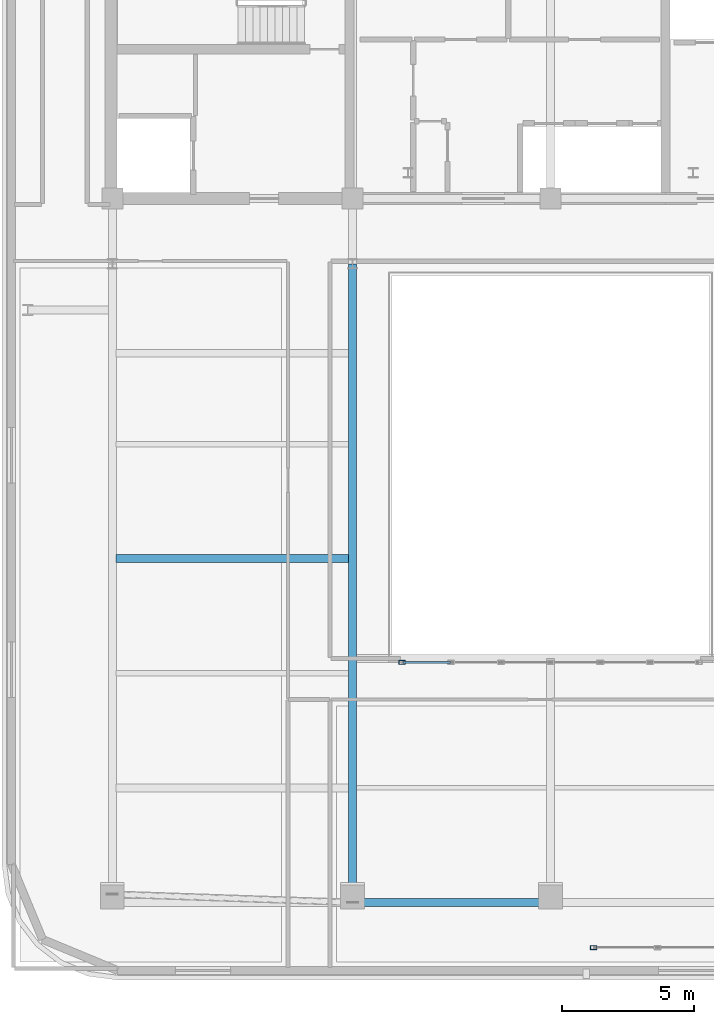
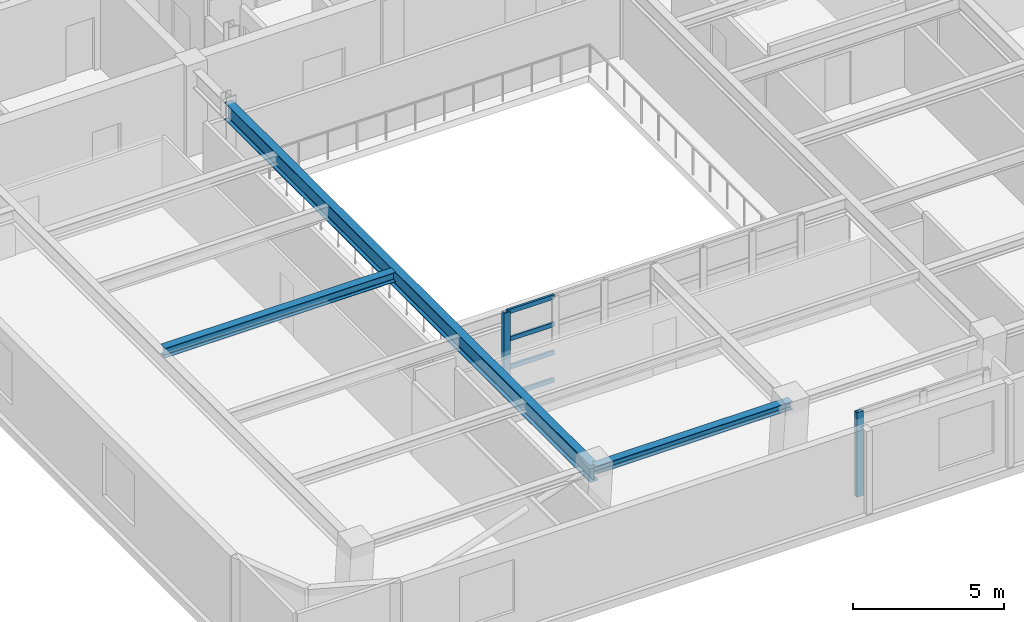
# One storey, part 2 of 12: 6 members, 3 beams, 2 elements without a shape of their own.
"""IFC4 building model written with IfcOpenShell, lengths in metres."""

import ifcopenshell
import ifcopenshell.guid

model = None  # the IFC model being written
_history = None  # IfcOwnerHistory: only IFC2X3 demands one
_inside = {}  # id of a spatial element -> (the spatial element, [elements in it])
_under = {}  # id of a project, library or spatial element -> (it, [spatial elements below it])
_declared = {}  # id of a project -> (the project, [libraries it declares])
_typed = {}  # id of a type object -> (the type object, [elements of that type])
_made_of = {}  # id of a material, layer set ... -> (it, [elements and type objects made of it])


def new_model(schema):
    """Start an empty IFC model of exactly this schema.

    Asked for "IFC4X3", IfcOpenShell would pick the latest addendum, in which some entities
    have other attributes; the version numbers below select the first issue.
    IFC2X3 requires an IfcOwnerHistory on every rooted entity: one is made here for all.
    """
    global model, _history
    if schema == "IFC4X3":
        model = ifcopenshell.file(schema_version=(4, 3, 0, 0))
    else:
        model = ifcopenshell.file(schema=schema)
    _inside.clear()
    _under.clear()
    _declared.clear()
    _typed.clear()
    _made_of.clear()
    _history = None
    if model.schema == "IFC2X3":
        org = make("IfcOrganization", Name="unknown")
        user = make(
            "IfcPersonAndOrganization",
            ThePerson=make("IfcPerson", FamilyName="unknown"),
            TheOrganization=org,
        )
        app = make(
            "IfcApplication",
            ApplicationDeveloper=org,
            Version="unknown",
            ApplicationFullName="unknown",
            ApplicationIdentifier="unknown",
        )
        _history = make(
            "IfcOwnerHistory",
            OwningUser=user,
            OwningApplication=app,
            ChangeAction="ADDED",
            CreationDate=0,
        )
    return model


def make(cls, **values):
    """One entity of the class cls with the attributes given. An attribute that is None is left unset."""
    return model.create_entity(
        cls, **{name: value for name, value in values.items() if value is not None}
    )


def rooted(cls, **values):
    """An entity with a GlobalId (a new one), such as an element, a storey or a relation."""
    return make(cls, GlobalId=ifcopenshell.guid.new(), OwnerHistory=_history, **values)


def si_unit(unit_type, name, prefix=None):
    """IfcSIUnit, for example si_unit("LENGTHUNIT", "METRE", prefix="MILLI")."""
    return make("IfcSIUnit", UnitType=unit_type, Prefix=prefix, Name=name)


def assignment(units):
    """IfcUnitAssignment: the units of a project."""
    return None if units is None else make("IfcUnitAssignment", Units=units)


def point(xyz):
    """IfcCartesianPoint."""
    return None if xyz is None else make("IfcCartesianPoint", Coordinates=xyz)


def direction(xyz):
    """IfcDirection."""
    return None if xyz is None else make("IfcDirection", DirectionRatios=xyz)


def frame(location, z_axis=None, x_axis=None):
    """IfcAxis2Placement3D, a coordinate frame: its origin and axes. An axis left out is left unset."""
    return make(
        "IfcAxis2Placement3D",
        Location=point(location),
        Axis=direction(z_axis),
        RefDirection=direction(x_axis),
    )


def frame_2d(location, x_axis=None):
    """IfcAxis2Placement2D, a coordinate frame in the plane: its origin and x axis."""
    return make(
        "IfcAxis2Placement2D", Location=point(location), RefDirection=direction(x_axis)
    )


def origin():
    """The frame at (0, 0, 0) with its axes left unset."""
    return frame((0.0, 0.0, 0.0))


def origin_2d():
    """The frame at (0, 0) in the plane with its x axis left unset."""
    return frame_2d((0.0, 0.0))


def place(relative_to, where):
    """IfcLocalPlacement: puts the frame where relative to a parent placement (None: the world)."""
    return make(
        "IfcLocalPlacement", PlacementRelTo=relative_to, RelativePlacement=where
    )


def context(
    kind, dimensions, precision=None, world=None, true_north=None, identifier=None
):
    """IfcGeometricRepresentationContext, for example the 3D "Model" context."""
    return make(
        "IfcGeometricRepresentationContext",
        ContextIdentifier=identifier,
        ContextType=kind,
        CoordinateSpaceDimension=dimensions,
        Precision=precision,
        WorldCoordinateSystem=world,
        TrueNorth=true_north,
    )


def subcontext(parent, identifier, kind, view, scale=None):
    """IfcGeometricRepresentationSubContext, for example "Body" below "Model"."""
    return make(
        "IfcGeometricRepresentationSubContext",
        ContextIdentifier=identifier,
        ContextType=kind,
        ParentContext=parent,
        TargetScale=scale,
        TargetView=view,
    )


def project(units=None, contexts=None):
    """IfcProject with its units and contexts."""
    return rooted(
        "IfcProject",
        Name="project",
        RepresentationContexts=contexts,
        UnitsInContext=assignment(units),
    )


def spatial(cls, under=None, at=None, **own):
    """A site, building, storey or space (cls), placed at a placement, below another one or the project."""
    s = rooted(cls, ObjectPlacement=at, **own)
    if under is not None:
        _under.setdefault(under.id(), (under, []))[1].append(s)
    return s


def profile(cls, at=None, kind="AREA", **sizes):
    """A parametric profile (cls). Its sizes go by their IFC names, for example OverallWidth=200.0."""
    return make(cls, ProfileType=kind, Position=at, **sizes)


def hollow_rectangle(**sizes):
    """IfcRectangleHollowProfileDef."""
    return profile("IfcRectangleHollowProfileDef", **sizes)


def i_section(**sizes):
    """IfcIShapeProfileDef."""
    return profile("IfcIShapeProfileDef", **sizes)


def extrude(swept, where, along, depth):
    """IfcExtrudedAreaSolid: the profile swept, set in the frame where, extruded along a direction by depth."""
    return make(
        "IfcExtrudedAreaSolid",
        SweptArea=swept,
        Position=where,
        ExtrudedDirection=direction(along),
        Depth=depth,
    )


def shape(context_of_items, identifier, shape_type, items):
    """IfcShapeRepresentation: the items that make up one representation, for example the "Body"."""
    return make(
        "IfcShapeRepresentation",
        ContextOfItems=context_of_items,
        RepresentationIdentifier=identifier,
        RepresentationType=shape_type,
        Items=items,
    )


def material(Name=None, Category=None):
    """IfcMaterial."""
    return make("IfcMaterial", Name=Name, Category=Category)


def layer(
    of_material, thickness, ventilated=None, Name=None, Category=None, Priority=None
):
    """IfcMaterialLayer: one layer of a wall or slab, of a material (None: an air gap)."""
    return make(
        "IfcMaterialLayer",
        Material=of_material,
        LayerThickness=thickness,
        IsVentilated=ventilated,
        Name=Name,
        Category=Category,
        Priority=Priority,
    )


def layer_set(layers, Name=None):
    """IfcMaterialLayerSet."""
    return make("IfcMaterialLayerSet", MaterialLayers=layers, LayerSetName=Name)


def material_profile(
    of_material, cross_section, Name=None, Category=None, Priority=None
):
    """IfcMaterialProfile: a cross section and its material."""
    return make(
        "IfcMaterialProfile",
        Name=Name,
        Material=of_material,
        Profile=cross_section,
        Priority=Priority,
        Category=Category,
    )


def profile_set(profiles, Name=None, composite=None):
    """IfcMaterialProfileSet."""
    return make(
        "IfcMaterialProfileSet",
        Name=Name,
        MaterialProfiles=profiles,
        CompositeProfile=composite,
    )


def made_of(thing, what):
    """Note that an element or type object is made of a material, layer set ...; save() writes the relation."""
    if what is not None:
        _made_of.setdefault(what.id(), (what, []))[1].append(thing)
    return thing


def type_object(cls, material=None, **own):
    """A type object (cls), such as IfcWallType, which elements share."""
    return made_of(rooted(cls, **own), material)


def element(
    cls,
    number,
    at=None,
    inside=None,
    cuts=None,
    type_object=None,
    material=None,
    context=None,
    identifier="Body",
    shape_type=None,
    held_by="IfcProductDefinitionShape",
    body=None,
    shapes=None,
    **own,
):
    """One element of the class cls, such as IfcWall. Its Tag is "e" and its number.

    at: its placement. inside: the storey or other place that contains it. cuts: it is an
    opening in that element (IfcRelVoidsElement). A single representation is given by context,
    identifier, shape_type and body (its items); several are given by shapes. held_by: the class
    of the entity that holds the representations. save() writes the other relations.
    """
    e = rooted(cls, Tag="e%d" % number, ObjectPlacement=at, **own)
    if body is not None:
        shapes = [shape(context, identifier, shape_type, body)]
    if shapes is not None:
        e.Representation = make(held_by, Representations=shapes)
    if inside is not None:
        _inside.setdefault(inside.id(), (inside, []))[1].append(e)
    if cuts is not None:
        rooted(
            "IfcRelVoidsElement", RelatingBuildingElement=cuts, RelatedOpeningElement=e
        )
    if type_object is not None:
        _typed.setdefault(type_object.id(), (type_object, []))[1].append(e)
    return made_of(e, material)


def aggregate(whole, parts):
    """IfcRelAggregates: a whole, such as a stair, and the parts it consists of."""
    return rooted("IfcRelAggregates", RelatingObject=whole, RelatedObjects=parts)


def save(model, path):
    """Write the relations noted so far, then the file.

    IfcRelAggregates (storeys below a building ...), IfcRelContainedInSpatialStructure (elements
    in a storey), IfcRelDefinesByType, IfcRelAssociatesMaterial and IfcRelDeclares: one each for
    every whole, place, type object, material and project.
    """
    for whole, parts in _under.values():
        aggregate(whole, parts)
    for where, things in _inside.values():
        rooted(
            "IfcRelContainedInSpatialStructure",
            RelatedElements=things,
            RelatingStructure=where,
        )
    for kind, things in _typed.values():
        rooted("IfcRelDefinesByType", RelatedObjects=things, RelatingType=kind)
    for what, things in _made_of.values():
        rooted("IfcRelAssociatesMaterial", RelatedObjects=things, RelatingMaterial=what)
    for by, libraries in _declared.values():
        rooted("IfcRelDeclares", RelatingContext=by, RelatedDefinitions=libraries)
    model.write(path)


model = new_model("IFC4")

# Units and contexts
model_context = context("Model", 3, precision=1e-05, world=origin(), true_north=direction((0.0, 1.0)))
body_context = subcontext(model_context, "Body", "Model", "MODEL_VIEW")
ifc_project = project(units=[si_unit("LENGTHUNIT", "METRE"), si_unit("AREAUNIT", "SQUARE_METRE"), si_unit("VOLUMEUNIT", "CUBIC_METRE"), si_unit("PLANEANGLEUNIT", "RADIAN"), si_unit("MASSUNIT", "GRAM", prefix="KILO")], contexts=[model_context])

# Site, building, storey
site_placement = place(None, origin())
site = spatial("IfcSite", under=ifc_project, at=site_placement, CompositionType="ELEMENT")
building_placement = place(site_placement, origin())
building = spatial("IfcBuilding", under=site, at=building_placement, Name="Zarnavel Station Tower", CompositionType="ELEMENT")
storey_placement = place(building_placement, frame((0.0, 0.0, 273.199951171875)))
storey = spatial("IfcBuildingStorey", under=building, at=storey_placement, Name="L74", CompositionType="ELEMENT", Elevation=273.199951171875)

# Curtain wall, member
ifc_material_1 = material(Name="Aluminium Dark Anodised and Solar-Control Glass", Category="aluminium")
ifc_layer = layer(ifc_material_1, 0.179931640625)
ifc_layer_set = layer_set([ifc_layer], Name="CWS6")
curtain_wall_type = type_object("IfcCurtainWallType", Name="CWS6", PredefinedType="NOTDEFINED", material=ifc_layer_set)
curtain_wall_1_placement = place(storey_placement, origin())
curtain_wall_1 = element("IfcCurtainWall", 1, at=curtain_wall_1_placement, inside=storey, type_object=curtain_wall_type, Name="L74 Curtain Wall CWS6-LOG-L74", PredefinedType="NOTDEFINED")
ifc_material_2 = material(Name="Steel S355J2 (Black Fluoropolymer Coated)", Category="steel")
ifc_material_profile_1 = material_profile(ifc_material_2, hollow_rectangle(XDim=0.14990234375, YDim=0.25, WallThickness=0.010009765625, at=origin_2d()), Name="RHS250x150x10")
ifc_profile_set_1 = profile_set([ifc_material_profile_1], Name="Steel S355J2 (Black Fluoropolymer Coated)")
member_type_1 = type_object("IfcMemberType", Name="CWS6_MUL", PredefinedType="MULLION", material=ifc_profile_set_1)
member_1_placement = place(storey_placement, frame((30.429931640625, -0.550048828125, 0.0), z_axis=(0.0, 0.0, 1.0), x_axis=(0.0, 1.0, 0.0)))
member_1 = element("IfcMember", 2, at=member_1_placement, type_object=member_type_1, Name="CW6 mullion 1", PredefinedType="MULLION", context=body_context, shape_type="SweptSolid", body=[
    extrude(hollow_rectangle(XDim=0.14990234375, YDim=0.25, WallThickness=0.010009765625, at=origin_2d()), origin(), (0.0, 0.0, 1.0), 3.420166015625),
])
aggregate(curtain_wall_1, [member_1])

# Curtain wall, members
curtain_wall_2_placement = place(storey_placement, origin())
curtain_wall_2 = element("IfcCurtainWall", 3, at=curtain_wall_2_placement, inside=storey, type_object=curtain_wall_type, Name="L74 Curtain Wall CWS6-L74-AS", PredefinedType="NOTDEFINED")
member_2_placement = place(storey_placement, frame((23.179931640625, 10.25, 0.0), z_axis=(0.0, 0.0, 1.0), x_axis=(0.0, 1.0, 0.0)))
member_2 = element("IfcMember", 4, at=member_2_placement, type_object=member_type_1, Name="CW6 mullion 1", PredefinedType="MULLION", context=body_context, shape_type="SweptSolid", body=[
    extrude(hollow_rectangle(XDim=0.14990234375, YDim=0.25, WallThickness=0.010009765625, at=origin_2d()), origin(), (0.0, 0.0, 1.0), 3.420166015625),
])
ifc_material_3 = material(Name="Steel S355J2 (Black Fluoropolymer Coated)", Category="steel")
ifc_material_profile_2 = material_profile(ifc_material_3, hollow_rectangle(XDim=0.080078125, YDim=0.179931640625, WallThickness=0.00634765625, at=origin_2d()), Name="RHS180x80x6.3")
ifc_profile_set_2 = profile_set([ifc_material_profile_2], Name="Steel S355J2 (Black Fluoropolymer Coated)")
member_type_2 = type_object("IfcMemberType", Name="CWS6_TRN", PredefinedType="USERDEFINED", material=ifc_profile_set_2)
member_3_placement = place(storey_placement, frame((23.2099609375, 10.25, 0.030029296875), z_axis=(1.0, 0.0, 0.0), x_axis=(0.0, 1.0, 0.0)))
member_3 = element("IfcMember", 5, at=member_3_placement, type_object=member_type_2, Name="CW6 transom 1.1", ObjectType="TRANSOM", PredefinedType="USERDEFINED", context=body_context, shape_type="SweptSolid", body=[
    extrude(hollow_rectangle(XDim=0.080078125, YDim=0.179931640625, WallThickness=0.00634765625, at=origin_2d()), origin(), (0.0, 0.0, 1.0), 1.79345703125),
])
member_4_placement = place(storey_placement, frame((23.2099609375, 10.25, 1.14013671875), z_axis=(1.0, 0.0, 0.0), x_axis=(0.0, 1.0, 0.0)))
member_4 = element("IfcMember", 6, at=member_4_placement, type_object=member_type_2, Name="CW6 transom 1.2", ObjectType="TRANSOM", PredefinedType="USERDEFINED", context=body_context, shape_type="SweptSolid", body=[
    extrude(hollow_rectangle(XDim=0.080078125, YDim=0.179931640625, WallThickness=0.00634765625, at=origin_2d()), origin(), (0.0, 0.0, 1.0), 1.79345703125),
])
member_5_placement = place(storey_placement, frame((23.2099609375, 10.25, 2.280029296875), z_axis=(1.0, 0.0, 0.0), x_axis=(0.0, 1.0, 0.0)))
member_5 = element("IfcMember", 7, at=member_5_placement, type_object=member_type_2, Name="CW6 transom 1.3", ObjectType="TRANSOM", PredefinedType="USERDEFINED", context=body_context, shape_type="SweptSolid", body=[
    extrude(hollow_rectangle(XDim=0.080078125, YDim=0.179931640625, WallThickness=0.00634765625, at=origin_2d()), origin(), (0.0, 0.0, 1.0), 1.79345703125),
])
member_6_placement = place(storey_placement, frame((23.2099609375, 10.25, 3.39013671875), z_axis=(1.0, 0.0, 0.0), x_axis=(0.0, 1.0, 0.0)))
member_6 = element("IfcMember", 8, at=member_6_placement, type_object=member_type_2, Name="CW6 transom 1.4", ObjectType="TRANSOM", PredefinedType="USERDEFINED", context=body_context, shape_type="SweptSolid", body=[
    extrude(hollow_rectangle(XDim=0.080078125, YDim=0.179931640625, WallThickness=0.00634765625, at=origin_2d()), origin(), (0.0, 0.0, 1.0), 1.79345703125),
])
aggregate(curtain_wall_2, [member_2, member_3, member_4, member_5, member_6])

# Beams
ifc_material_4 = material(Name="Steel S355J2", Category="steel")
ifc_material_profile_3 = material_profile(ifc_material_4, i_section(OverallWidth=0.300048828125, OverallDepth=0.320068359375, WebThickness=0.011474609375, FlangeThickness=0.0205078125, FilletRadius=0.027099609375, at=origin_2d()), Name="HEB320")
ifc_profile_set_3 = profile_set([ifc_material_profile_3], Name="Steel S355J2")
beam_type_1 = type_object("IfcBeamType", Name="EB_HEB320", PredefinedType="SPANDREL", material=ifc_profile_set_3)
beam_1_placement = place(storey_placement, frame((21.300048828125, 1.16064453125, 3.260009765625), z_axis=(1.0, 0.0, 0.0), x_axis=(0.0, 1.0, 0.0)))
element("IfcBeam", 9, at=beam_1_placement, inside=storey, type_object=beam_type_1, Name="L74 South Raked Spandrel 2", PredefinedType="SPANDREL", context=body_context, shape_type="SweptSolid", body=[
    extrude(i_section(OverallWidth=0.300048828125, OverallDepth=0.320068359375, WebThickness=0.011474609375, FlangeThickness=0.0205078125, FilletRadius=0.027099609375, at=origin_2d()), origin(), (0.0, 0.0, 1.0), 7.5),
])
ifc_material_5 = material(Name="Steel S355J2", Category="steel")
ifc_material_profile_4 = material_profile(ifc_material_5, i_section(OverallWidth=0.300048828125, OverallDepth=0.389892578125, WebThickness=0.010986328125, FlangeThickness=0.01904296875, FilletRadius=0.027099609375, at=origin_2d()), Name="HEA400")
ifc_profile_set_4 = profile_set([ifc_material_profile_4], Name="Steel S355J2")
beam_type_2 = type_object("IfcBeamType", Name="FB_HEA400", PredefinedType="BEAM", material=ifc_profile_set_4)
beam_2_placement = place(storey_placement, frame((12.344970703125, 14.180419921875, 3.22509765625), z_axis=(1.0, 0.0, 0.0), x_axis=(0.0, 1.0, 0.0)))
element("IfcBeam", 10, at=beam_2_placement, inside=storey, type_object=beam_type_2, Name="L74 West Bay Beam 3", PredefinedType="BEAM", context=body_context, shape_type="SweptSolid", body=[
    extrude(i_section(OverallWidth=0.300048828125, OverallDepth=0.389892578125, WebThickness=0.010986328125, FlangeThickness=0.01904296875, FilletRadius=0.027099609375, at=origin_2d()), origin(), (0.0, 0.0, 1.0), 8.81005859375),
])
ifc_material_6 = material(Name="Steel S355J2", Category="steel")
ifc_material_profile_5 = material_profile(ifc_material_6, i_section(OverallWidth=0.300048828125, OverallDepth=0.699951171875, WebThickness=0.01708984375, FlangeThickness=0.031982421875, FilletRadius=0.027099609375, at=origin_2d()), Name="HEB700")
ifc_profile_set_5 = profile_set([ifc_material_profile_5], Name="Steel S355J2")
beam_type_3 = type_object("IfcBeamType", Name="FG_HEB700", PredefinedType="USERDEFINED", material=ifc_profile_set_5)
beam_3_placement = place(storey_placement, frame((21.300048828125, 1.16064453125, 3.070068359375), z_axis=(0.0, 1.0, 0.0), x_axis=(-1.0, 0.0, 0.0)))
element("IfcBeam", 11, at=beam_3_placement, inside=storey, type_object=beam_type_3, Name="L74 South-Zone NS Girder 2", ObjectType="GIRDER", PredefinedType="USERDEFINED", context=body_context, shape_type="SweptSolid", body=[
    extrude(i_section(OverallWidth=0.300048828125, OverallDepth=0.699951171875, WebThickness=0.01708984375, FlangeThickness=0.031982421875, FilletRadius=0.027099609375, at=origin_2d()), origin(), (0.0, 0.0, 1.0), 24.189453125),
])

save(model, "model.ifc")
